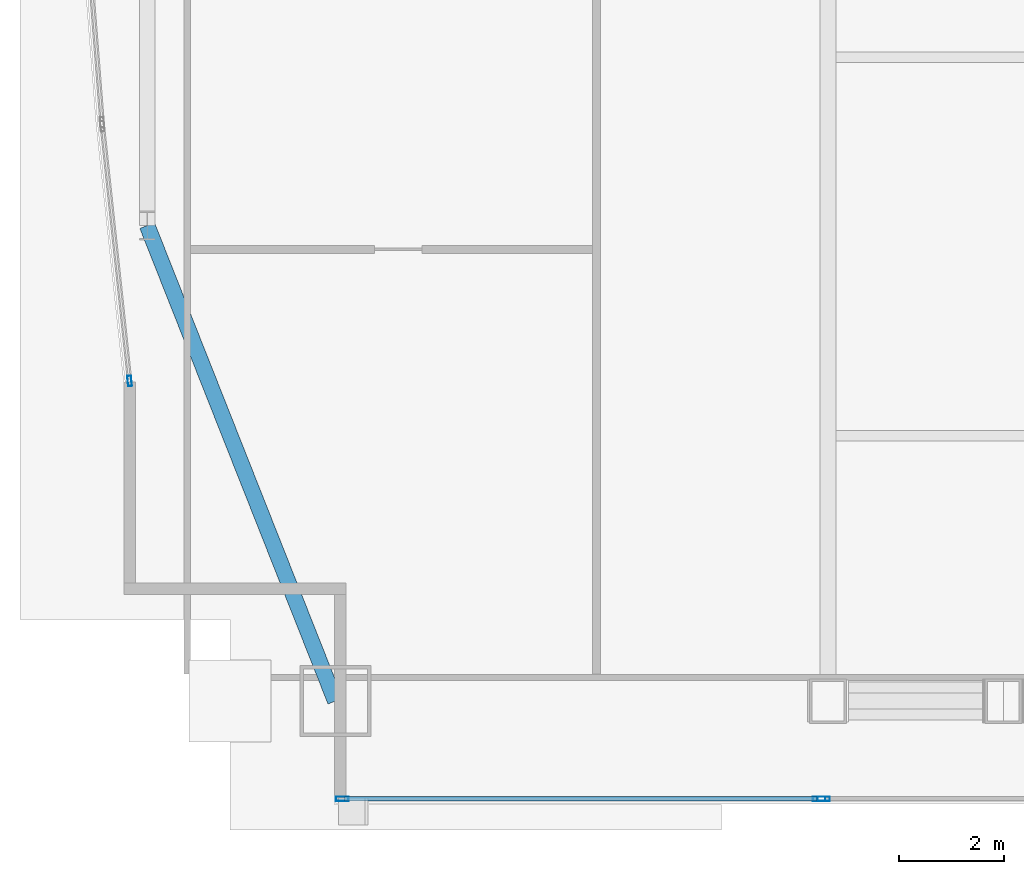
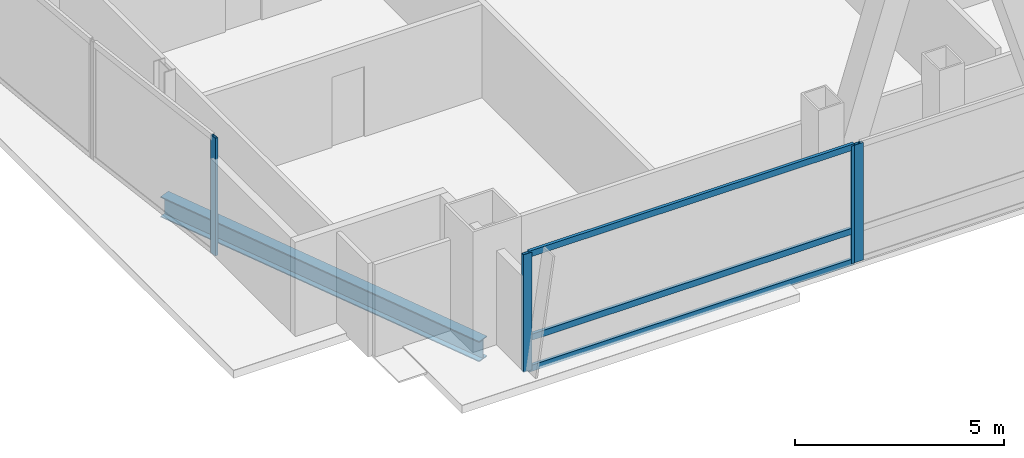
# One storey, part 5 of 30: 7 members, 1 beam, 3 elements without a shape of their own.
"""IFC4 building model written with IfcOpenShell, lengths in metres."""

from ifc_helpers import new_model, si_unit, direction, frame, origin, origin_2d, place, context, subcontext, project, spatial, hollow_rectangle, i_section, extrude, material, material_profile, profile_set, type_object, element, aggregate, save


model = new_model("IFC4")

# Units and contexts
model_context = context("Model", 3, precision=1e-05, world=origin(), true_north=direction((0.0, 1.0)))
body_context = subcontext(model_context, "Body", "Model", "MODEL_VIEW")
ifc_project = project(units=[si_unit("LENGTHUNIT", "METRE"), si_unit("AREAUNIT", "SQUARE_METRE"), si_unit("VOLUMEUNIT", "CUBIC_METRE"), si_unit("PLANEANGLEUNIT", "RADIAN"), si_unit("MASSUNIT", "GRAM", prefix="KILO")], contexts=[model_context])

# Site, building, storey
site_placement = place(None, origin())
site = spatial("IfcSite", under=ifc_project, at=site_placement, CompositionType="ELEMENT")
building_placement = place(site_placement, origin())
building = spatial("IfcBuilding", under=site, at=building_placement, Name="Khoronbel Lancet Exchange", CompositionType="ELEMENT")
storey_placement = place(building_placement, frame((0.0, 0.0, 136.199951171875)))
storey = spatial("IfcBuildingStorey", under=building, at=storey_placement, Name="L33", CompositionType="ELEMENT", Elevation=136.199951171875)

# Beam
ifc_material_1 = material(Name="Steel S355", Category="steel")
ifc_material_profile_1 = material_profile(ifc_material_1, i_section(OverallWidth=0.300048828125, OverallDepth=0.60009765625, WebThickness=0.015380859375, FlangeThickness=0.030029296875, at=origin_2d()), Name="HEB 600")
ifc_profile_set_1 = profile_set([ifc_material_profile_1], Name="Steel S355")
beam_type = type_object("IfcBeamType", Name="BM-BSP2", PredefinedType="SPANDREL", material=ifc_profile_set_1)
beam_placement = place(storey_placement, frame((5.27001953125, 19.199951171875, -0.4599609375), z_axis=(0.367850095026, -0.92988510451, 0.0), x_axis=(0.92988510451, 0.367850095026, 0.0)))
element("IfcBeam", 1, at=beam_placement, inside=storey, type_object=beam_type, Name="Level L33 perimeter spandrel beam SP19", PredefinedType="SPANDREL", context=body_context, shape_type="SweptSolid", body=[
    extrude(i_section(OverallWidth=0.300048828125, OverallDepth=0.60009765625, WebThickness=0.015380859375, FlangeThickness=0.030029296875, at=origin_2d()), origin(), (0.0, 0.0, 1.0), 9.732421875),
])

# Curtain wall, members
ifc_material_2 = material(Name="Low-E Solar Control Insulating Glass", Category="glass")
curtain_wall_type_1 = type_object("IfcCurtainWallType", Name="CW-3", PredefinedType="NOTDEFINED", material=ifc_material_2)
curtain_wall_1_placement = place(storey_placement, origin())
curtain_wall_1 = element("IfcCurtainWall", 2, at=curtain_wall_1_placement, inside=storey, type_object=curtain_wall_type_1, Name="Unitised curtain wall CW-L33-SWV", PredefinedType="NOTDEFINED")
ifc_material_3 = material(Name="Bronze-Anodised Aluminium 6063-T6", Category="aluminium")
ifc_material_profile_2 = material_profile(ifc_material_3, hollow_rectangle(XDim=0.0849609375, YDim=0.239990234375, WallThickness=0.006103515625, at=origin_2d()), Name="ALU MULLION 85x240")
ifc_profile_set_2 = profile_set([ifc_material_profile_2], Name="Bronze-Anodised Aluminium 6063-T6")
member_type_1 = type_object("IfcMemberType", Name="MEM-CWM1", PredefinedType="MULLION", material=ifc_profile_set_2)
member_1_placement = place(storey_placement, frame((8.982421875, 8.2900390625, 0.0), z_axis=(0.0, 0.0, 1.0), x_axis=(0.0, 1.0, 0.0)))
member_1 = element("IfcMember", 3, at=member_1_placement, type_object=member_type_1, Name="CW3 mullion 1", PredefinedType="MULLION", context=body_context, shape_type="SweptSolid", body=[
    extrude(hollow_rectangle(XDim=0.0849609375, YDim=0.239990234375, WallThickness=0.006103515625, at=origin_2d()), origin(), (0.0, 0.0, 1.0), 3.43994140625),
])
member_2_placement = place(storey_placement, frame((18.0576171875, 8.2900390625, 0.0), z_axis=(0.0, 0.0, 1.0), x_axis=(0.0, 1.0, 0.0)))
member_2 = element("IfcMember", 4, at=member_2_placement, type_object=member_type_1, Name="CW3 mullion 2", PredefinedType="MULLION", context=body_context, shape_type="SweptSolid", body=[
    extrude(hollow_rectangle(XDim=0.0849609375, YDim=0.239990234375, WallThickness=0.006103515625, at=origin_2d()), origin(), (0.0, 0.0, 1.0), 3.43994140625),
])

# Curtain wall, member
curtain_wall_2_placement = place(storey_placement, origin())
curtain_wall_2 = element("IfcCurtainWall", 5, at=curtain_wall_2_placement, inside=storey, type_object=curtain_wall_type_1, Name="Unitised curtain wall CW-L33-SWB", PredefinedType="NOTDEFINED")
member_3_placement = place(storey_placement, frame((18.142578125, 8.2900390625, 0.0), z_axis=(0.0, 0.0, 1.0), x_axis=(0.0, 1.0, 0.0)))
member_3 = element("IfcMember", 6, at=member_3_placement, type_object=member_type_1, Name="CW3 mullion 1", PredefinedType="MULLION", context=body_context, shape_type="SweptSolid", body=[
    extrude(hollow_rectangle(XDim=0.0849609375, YDim=0.239990234375, WallThickness=0.006103515625, at=origin_2d()), origin(), (0.0, 0.0, 1.0), 3.43994140625),
])
aggregate(curtain_wall_2, [member_3])

curtain_wall_type_2 = type_object("IfcCurtainWallType", Name="CW-4", PredefinedType="NOTDEFINED", material=ifc_material_2)
curtain_wall_3_placement = place(storey_placement, origin())
curtain_wall_3 = element("IfcCurtainWall", 7, at=curtain_wall_3_placement, inside=storey, type_object=curtain_wall_type_2, Name="Unitised curtain wall CW-L33-E04", PredefinedType="NOTDEFINED")
ifc_material_profile_3 = material_profile(ifc_material_3, hollow_rectangle(XDim=0.074951171875, YDim=0.199951171875, WallThickness=0.0048828125, at=origin_2d()), Name="ALU MULLION 75x200")
ifc_profile_set_3 = profile_set([ifc_material_profile_3], Name="Bronze-Anodised Aluminium 6063-T6")
member_type_2 = type_object("IfcMemberType", Name="MEM-CWM2", PredefinedType="MULLION", material=ifc_profile_set_3)
member_4_placement = place(storey_placement, frame((4.93603515625, 16.2421875, 0.0), z_axis=(0.0, 0.0, 1.0), x_axis=(-0.994346859972, -0.106180610586, 0.0)))
member_4 = element("IfcMember", 8, at=member_4_placement, type_object=member_type_2, Name="CW4 mullion 1", PredefinedType="MULLION", context=body_context, shape_type="SweptSolid", body=[
    extrude(hollow_rectangle(XDim=0.074951171875, YDim=0.199951171875, WallThickness=0.0048828125, at=origin_2d()), origin(), (0.0, 0.0, 1.0), 3.43994140625),
])
aggregate(curtain_wall_3, [member_4])

# Member
ifc_material_profile_4 = material_profile(ifc_material_3, hollow_rectangle(XDim=0.0849609375, YDim=0.179931640625, WallThickness=0.0048828125, at=origin_2d()), Name="ALU TRANSOM 85x180")
ifc_profile_set_4 = profile_set([ifc_material_profile_4], Name="Bronze-Anodised Aluminium 6063-T6")
member_type_3 = type_object("IfcMemberType", Name="MEM-CWT1", PredefinedType="USERDEFINED", material=ifc_profile_set_4)
member_5_placement = place(storey_placement, frame((9.02490234375, 8.2900390625, 0.04248046875), z_axis=(1.0, 0.0, 0.0), x_axis=(0.0, 1.0, 0.0)))
member_5 = element("IfcMember", 9, at=member_5_placement, type_object=member_type_3, Name="CW3 transom 1.1", ObjectType="TRANSOM", PredefinedType="USERDEFINED", context=body_context, shape_type="SweptSolid", body=[
    extrude(hollow_rectangle(XDim=0.0849609375, YDim=0.179931640625, WallThickness=0.0048828125, at=origin_2d()), origin(), (0.0, 0.0, 1.0), 8.989990234375),
])

member_6_placement = place(storey_placement, frame((9.02490234375, 8.2900390625, 0.949951171875), z_axis=(1.0, 0.0, 0.0), x_axis=(0.0, 1.0, 0.0)))
member_6 = element("IfcMember", 10, at=member_6_placement, type_object=member_type_3, Name="CW3 transom 1.2", ObjectType="TRANSOM", PredefinedType="USERDEFINED", context=body_context, shape_type="SweptSolid", body=[
    extrude(hollow_rectangle(XDim=0.0849609375, YDim=0.179931640625, WallThickness=0.0048828125, at=origin_2d()), origin(), (0.0, 0.0, 1.0), 8.989990234375),
])

member_7_placement = place(storey_placement, frame((9.02490234375, 8.2900390625, 3.3974609375), z_axis=(1.0, 0.0, 0.0), x_axis=(0.0, 1.0, 0.0)))
member_7 = element("IfcMember", 11, at=member_7_placement, type_object=member_type_3, Name="CW3 transom 1.3", ObjectType="TRANSOM", PredefinedType="USERDEFINED", context=body_context, shape_type="SweptSolid", body=[
    extrude(hollow_rectangle(XDim=0.0849609375, YDim=0.179931640625, WallThickness=0.0048828125, at=origin_2d()), origin(), (0.0, 0.0, 1.0), 8.989990234375),
])

aggregate(curtain_wall_1, [member_1, member_2, member_5, member_6, member_7])

save(model, "model.ifc")
